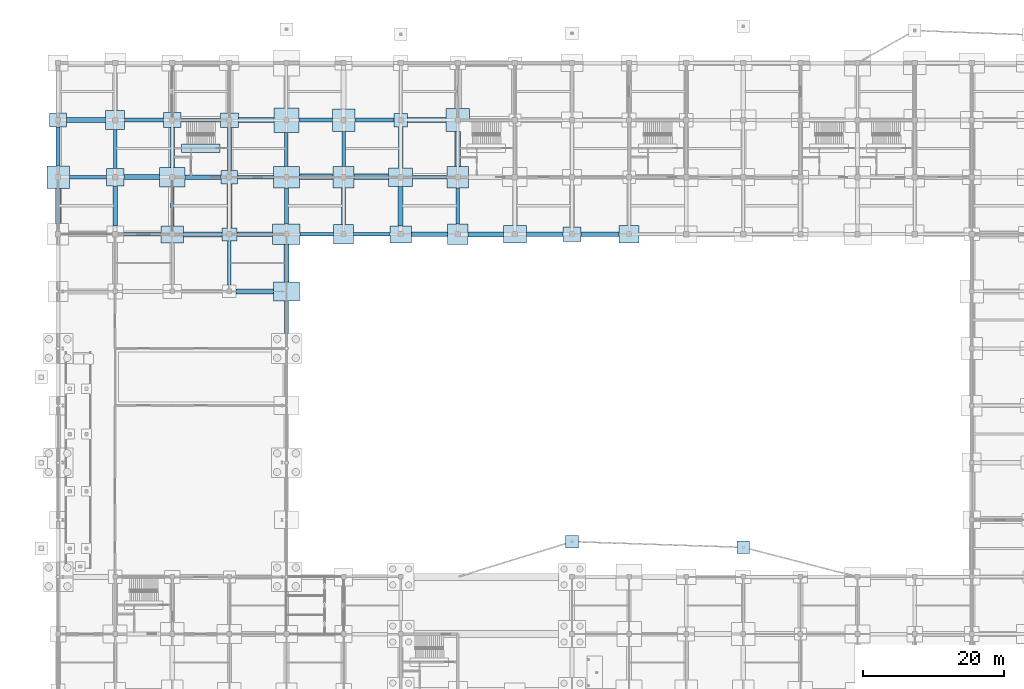
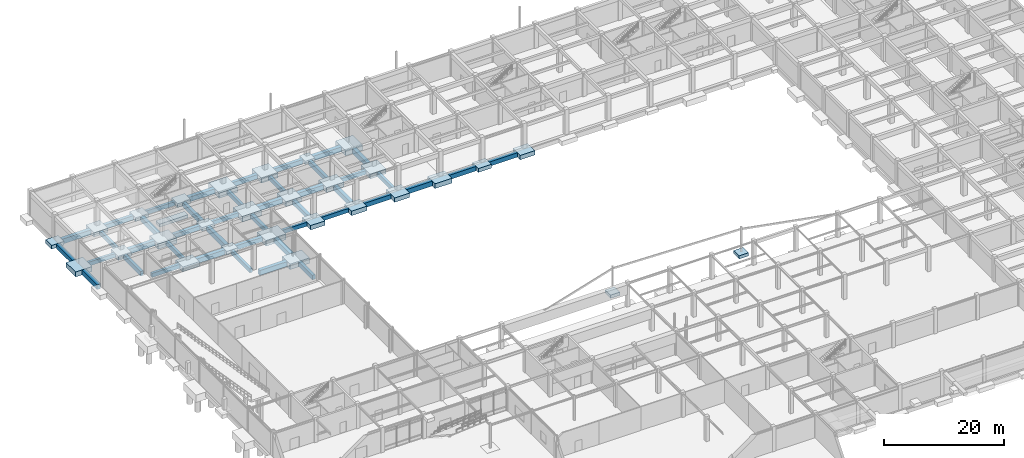
# One storey, part 5 of 67: 72 footings.
"""IFC4 building model written with IfcOpenShell, lengths in metres."""

from ifc_helpers import new_model, si_unit, direction, frame, origin, origin_2d, place, context, subcontext, project, spatial, rectangle, extrude, material, type_object, element, save


model = new_model("IFC4")

# Units and contexts
model_context = context("Model", 3, precision=1e-05, world=origin(), true_north=direction((0.0, 1.0)))
body_context = subcontext(model_context, "Body", "Model", "MODEL_VIEW")
ifc_project = project(units=[si_unit("LENGTHUNIT", "METRE"), si_unit("AREAUNIT", "SQUARE_METRE"), si_unit("VOLUMEUNIT", "CUBIC_METRE"), si_unit("PLANEANGLEUNIT", "RADIAN"), si_unit("MASSUNIT", "GRAM", prefix="KILO")], contexts=[model_context])

# Site, building, storey
site_placement = place(None, origin())
site = spatial("IfcSite", under=ifc_project, at=site_placement, CompositionType="ELEMENT")
building_placement = place(site_placement, origin())
building = spatial("IfcBuilding", under=site, at=building_placement, Name="Vaudrelin Polytechnic", CompositionType="ELEMENT")
storey_placement = place(building_placement, frame((0.0, 0.0, -5.10009765625)))
storey = spatial("IfcBuildingStorey", under=building, at=storey_placement, Name="B1", CompositionType="ELEMENT", Elevation=-5.10009765625)

# Footings
ifc_material = material(Name="Concrete 40 MPa", Category="concrete")
footing_type_1 = type_object("IfcFootingType", Name="FTG-GB-01", PredefinedType="FOOTING_BEAM", material=ifc_material)
footing_1_placement = place(storey_placement, frame((4.22509765625, 105.300048828125, -1.25), z_axis=(0.0, 0.0, 1.0), x_axis=(1.0, 0.0, 0.0)))
element("IfcFooting", 1, at=footing_1_placement, inside=storey, type_object=footing_type_1, Name="Ground tie beam GB-0015", PredefinedType="FOOTING_BEAM", context=body_context, shape_type="SweptSolid", body=[
    extrude(rectangle(XDim=5.25, YDim=0.5, at=origin_2d()), origin(), (0.0, 0.0, 1.0), 0.800048828125),
])
footing_2_placement = place(storey_placement, frame((11.925048828125, 97.199951171875, -1.25), z_axis=(0.0, 0.0, 1.0), x_axis=(1.0, 0.0, 0.0)))
element("IfcFooting", 2, at=footing_2_placement, inside=storey, type_object=footing_type_1, Name="Ground tie beam GB-0027", PredefinedType="FOOTING_BEAM", context=body_context, shape_type="SweptSolid", body=[
    extrude(rectangle(XDim=5.35009765625, YDim=0.5, at=origin_2d()), origin(), (0.0, 0.0, 1.0), 0.800048828125),
])
for number, where, z_axis, x_axis, name in (
    (3, (8.10009765625, 109.300048828125, -1.25), (0.0, 0.0, 1.0), (1.0, 0.0, 0.0), "Ground tie beam GB-0030"),
    (4, (16.199951171875, 101.14990234375, -1.25), (0.0, 0.0, 1.0), (1.0, 0.0, 0.0), "Ground tie beam GB-0042"),
):
    element("IfcFooting", number, at=place(storey_placement, frame(where, z_axis=z_axis, x_axis=x_axis)), inside=storey, type_object=footing_type_1, Name=name, PredefinedType="FOOTING_BEAM", context=body_context, shape_type="SweptSolid", body=[
        extrude(rectangle(XDim=0.5, YDim=5.5, at=origin_2d()), origin(), (0.0, 0.0, 1.0), 0.800048828125),
    ])
footing_3_placement = place(storey_placement, frame((20.237548828125, 113.39990234375, -1.25), z_axis=(0.0, 0.0, 1.0), x_axis=(1.0, 0.0, 0.0)))
element("IfcFooting", 5, at=footing_3_placement, inside=storey, type_object=footing_type_1, Name="Ground tie beam GB-0045", PredefinedType="FOOTING_BEAM", context=body_context, shape_type="SweptSolid", body=[
    extrude(rectangle(XDim=5.574951171875, YDim=0.5, at=origin_2d()), origin(), (0.0, 0.0, 1.0), 0.800048828125),
])
footing_4_placement = place(storey_placement, frame((24.300048828125, 93.125, -1.2998046875), z_axis=(0.0, 0.0, 1.0), x_axis=(1.0, 0.0, 0.0)))
element("IfcFooting", 6, at=footing_4_placement, inside=storey, type_object=footing_type_1, Name="Ground tie beam GB-0054", PredefinedType="FOOTING_BEAM", context=body_context, shape_type="SweptSolid", body=[
    extrude(rectangle(XDim=0.5, YDim=6.300048828125, at=origin_2d()), origin(), (0.0, 0.0, 1.0), 0.800048828125),
])
footing_5_placement = place(storey_placement, frame((28.012451171875, 105.300048828125, -1.25), z_axis=(0.0, 0.0, 1.0), x_axis=(1.0, 0.0, 0.0)))
element("IfcFooting", 7, at=footing_5_placement, inside=storey, type_object=footing_type_1, Name="Ground tie beam GB-0057", PredefinedType="FOOTING_BEAM", context=body_context, shape_type="SweptSolid", body=[
    extrude(rectangle(XDim=5.074951171875, YDim=0.5, at=origin_2d()), origin(), (0.0, 0.0, 1.0), 0.800048828125),
])
footing_6_placement = place(storey_placement, frame((36.72509765625, 97.199951171875, -1.25), z_axis=(0.0, 0.0, 1.0), x_axis=(1.0, 0.0, 0.0)))
element("IfcFooting", 8, at=footing_6_placement, inside=storey, type_object=footing_type_1, Name="Ground tie beam GB-0075", PredefinedType="FOOTING_BEAM", context=body_context, shape_type="SweptSolid", body=[
    extrude(rectangle(XDim=4.75, YDim=0.5, at=origin_2d()), origin(), (0.0, 0.0, 1.0), 0.800048828125),
])
footing_7_placement = place(storey_placement, frame((32.39990234375, 109.25, -1.25), z_axis=(0.0, 0.0, 1.0), x_axis=(1.0, 0.0, 0.0)))
element("IfcFooting", 9, at=footing_7_placement, inside=storey, type_object=footing_type_1, Name="Ground tie beam GB-0078", PredefinedType="FOOTING_BEAM", context=body_context, shape_type="SweptSolid", body=[
    extrude(rectangle(XDim=0.5, YDim=4.800048828125, at=origin_2d()), origin(), (0.0, 0.0, 1.0), 0.800048828125),
])
footing_8_placement = place(storey_placement, frame((44.5, 97.199951171875, -1.25), z_axis=(0.0, 0.0, 1.0), x_axis=(1.0, 0.0, 0.0)))
element("IfcFooting", 10, at=footing_8_placement, inside=storey, type_object=footing_type_1, Name="Ground tie beam GB-0093", PredefinedType="FOOTING_BEAM", context=body_context, shape_type="SweptSolid", body=[
    extrude(rectangle(XDim=5.199951171875, YDim=0.5, at=origin_2d()), origin(), (0.0, 0.0, 1.0), 0.800048828125),
])
footing_9_placement = place(storey_placement, frame((40.5, 109.300048828125, -1.25), z_axis=(0.0, 0.0, 1.0), x_axis=(1.0, 0.0, 0.0)))
element("IfcFooting", 11, at=footing_9_placement, inside=storey, type_object=footing_type_1, Name="Ground tie beam GB-0096", PredefinedType="FOOTING_BEAM", context=body_context, shape_type="SweptSolid", body=[
    extrude(rectangle(XDim=0.5, YDim=5.0, at=origin_2d()), origin(), (0.0, 0.0, 1.0), 0.800048828125),
])
footing_10_placement = place(storey_placement, frame((52.72509765625, 105.300048828125, -1.25), z_axis=(0.0, 0.0, 1.0), x_axis=(1.0, 0.0, 0.0)))
element("IfcFooting", 12, at=footing_10_placement, inside=storey, type_object=footing_type_1, Name="Ground tie beam GB-0108", PredefinedType="FOOTING_BEAM", context=body_context, shape_type="SweptSolid", body=[
    extrude(rectangle(XDim=4.85009765625, YDim=0.5, at=origin_2d()), origin(), (0.0, 0.0, 1.0), 0.800048828125),
])
footing_11_placement = place(storey_placement, frame((56.699951171875, 101.199951171875, -1.25), z_axis=(0.0, 0.0, 1.0), x_axis=(1.0, 0.0, 0.0)))
element("IfcFooting", 13, at=footing_11_placement, inside=storey, type_object=footing_type_1, Name="Ground tie beam GB-0120", PredefinedType="FOOTING_BEAM", context=body_context, shape_type="SweptSolid", body=[
    extrude(rectangle(XDim=0.5, YDim=5.10009765625, at=origin_2d()), origin(), (0.0, 0.0, 1.0), 0.800048828125),
])
footing_type_2 = type_object("IfcFootingType", Name="FTG-GB-02", PredefinedType="FOOTING_BEAM", material=ifc_material)
footing_12_placement = place(storey_placement, frame((0.0, 109.64990234375, -1.349853515625), z_axis=(0.0, 0.0, 1.0), x_axis=(1.0, 0.0, 0.0)))
element("IfcFooting", 14, at=footing_12_placement, inside=storey, type_object=footing_type_2, Name="Ground tie beam GB-0016", PredefinedType="FOOTING_BEAM", context=body_context, shape_type="SweptSolid", body=[
    extrude(rectangle(XDim=0.60009765625, YDim=5.5, at=origin_2d()), origin(), (0.0, 0.0, 1.0), 0.89990234375),
])
footing_13_placement = place(storey_placement, frame((8.10009765625, 101.199951171875, -1.349853515625), z_axis=(0.0, 0.0, 1.0), x_axis=(1.0, 0.0, 0.0)))
element("IfcFooting", 15, at=footing_13_placement, inside=storey, type_object=footing_type_2, Name="Ground tie beam GB-0028", PredefinedType="FOOTING_BEAM", context=body_context, shape_type="SweptSolid", body=[
    extrude(rectangle(XDim=0.60009765625, YDim=5.699951171875, at=origin_2d()), origin(), (0.0, 0.0, 1.0), 0.89990234375),
])
footing_14_placement = place(storey_placement, frame((12.199951171875, 113.39990234375, -1.349853515625), z_axis=(0.0, 0.0, 1.0), x_axis=(1.0, 0.0, 0.0)))
element("IfcFooting", 16, at=footing_14_placement, inside=storey, type_object=footing_type_2, Name="Ground tie beam GB-0031", PredefinedType="FOOTING_BEAM", context=body_context, shape_type="SweptSolid", body=[
    extrude(rectangle(XDim=5.5, YDim=0.60009765625, at=origin_2d()), origin(), (0.0, 0.0, 1.0), 0.89990234375),
])
footing_15_placement = place(storey_placement, frame((20.5625, 105.300048828125, -1.349853515625), z_axis=(0.0, 0.0, 1.0), x_axis=(1.0, 0.0, 0.0)))
element("IfcFooting", 17, at=footing_15_placement, inside=storey, type_object=footing_type_2, Name="Ground tie beam GB-0043", PredefinedType="FOOTING_BEAM", context=body_context, shape_type="SweptSolid", body=[
    extrude(rectangle(XDim=5.125, YDim=0.60009765625, at=origin_2d()), origin(), (0.0, 0.0, 1.0), 0.89990234375),
])
footing_16_placement = place(storey_placement, frame((27.91259765625, 97.199951171875, -1.349853515625), z_axis=(0.0, 0.0, 1.0), x_axis=(1.0, 0.0, 0.0)))
element("IfcFooting", 18, at=footing_16_placement, inside=storey, type_object=footing_type_2, Name="Ground tie beam GB-0055", PredefinedType="FOOTING_BEAM", context=body_context, shape_type="SweptSolid", body=[
    extrude(rectangle(XDim=5.074951171875, YDim=0.60009765625, at=origin_2d()), origin(), (0.0, 0.0, 1.0), 0.89990234375),
])
footing_17_placement = place(storey_placement, frame((24.300048828125, 109.324951171875, -1.349853515625), z_axis=(0.0, 0.0, 1.0), x_axis=(1.0, 0.0, 0.0)))
element("IfcFooting", 19, at=footing_17_placement, inside=storey, type_object=footing_type_2, Name="Ground tie beam GB-0058", PredefinedType="FOOTING_BEAM", context=body_context, shape_type="SweptSolid", body=[
    extrude(rectangle(XDim=0.60009765625, YDim=6.10009765625, at=origin_2d()), origin(), (0.0, 0.0, 1.0), 0.89990234375),
])
footing_18_placement = place(storey_placement, frame((32.39990234375, 85.4375, -1.349853515625), z_axis=(0.0, 0.0, 1.0), x_axis=(1.0, 0.0, 0.0)))
element("IfcFooting", 20, at=footing_18_placement, inside=storey, type_object=footing_type_2, Name="Ground tie beam GB-0073", PredefinedType="FOOTING_BEAM", context=body_context, shape_type="SweptSolid", body=[
    extrude(rectangle(XDim=0.60009765625, YDim=4.675048828125, at=origin_2d()), origin(), (0.0, 0.0, 1.0), 0.89990234375),
])
footing_19_placement = place(storey_placement, frame((32.39990234375, 101.199951171875, -1.349853515625), z_axis=(0.0, 0.0, 1.0), x_axis=(1.0, 0.0, 0.0)))
element("IfcFooting", 21, at=footing_19_placement, inside=storey, type_object=footing_type_2, Name="Ground tie beam GB-0076", PredefinedType="FOOTING_BEAM", context=body_context, shape_type="SweptSolid", body=[
    extrude(rectangle(XDim=0.60009765625, YDim=5.10009765625, at=origin_2d()), origin(), (0.0, 0.0, 1.0), 0.89990234375),
])
footing_20_placement = place(storey_placement, frame((36.52490234375, 113.39990234375, -1.349853515625), z_axis=(0.0, 0.0, 1.0), x_axis=(1.0, 0.0, 0.0)))
element("IfcFooting", 22, at=footing_20_placement, inside=storey, type_object=footing_type_2, Name="Ground tie beam GB-0079", PredefinedType="FOOTING_BEAM", context=body_context, shape_type="SweptSolid", body=[
    extrude(rectangle(XDim=4.75, YDim=0.60009765625, at=origin_2d()), origin(), (0.0, 0.0, 1.0), 0.89990234375),
])
footing_21_placement = place(storey_placement, frame((40.5, 101.199951171875, -1.349853515625), z_axis=(0.0, 0.0, 1.0), x_axis=(1.0, 0.0, 0.0)))
element("IfcFooting", 23, at=footing_21_placement, inside=storey, type_object=footing_type_2, Name="Ground tie beam GB-0094", PredefinedType="FOOTING_BEAM", context=body_context, shape_type="SweptSolid", body=[
    extrude(rectangle(XDim=0.60009765625, YDim=5.199951171875, at=origin_2d()), origin(), (0.0, 0.0, 1.0), 0.89990234375),
])
footing_22_placement = place(storey_placement, frame((44.875, 113.39990234375, -1.349853515625), z_axis=(0.0, 0.0, 1.0), x_axis=(1.0, 0.0, 0.0)))
element("IfcFooting", 24, at=footing_22_placement, inside=storey, type_object=footing_type_2, Name="Ground tie beam GB-0097", PredefinedType="FOOTING_BEAM", context=body_context, shape_type="SweptSolid", body=[
    extrude(rectangle(XDim=5.550048828125, YDim=0.60009765625, at=origin_2d()), origin(), (0.0, 0.0, 1.0), 0.89990234375),
])
footing_23_placement = place(storey_placement, frame((52.675048828125, 97.199951171875, -1.349853515625), z_axis=(0.0, 0.0, 1.0), x_axis=(1.0, 0.0, 0.0)))
element("IfcFooting", 25, at=footing_23_placement, inside=storey, type_object=footing_type_2, Name="Ground tie beam GB-0106", PredefinedType="FOOTING_BEAM", context=body_context, shape_type="SweptSolid", body=[
    extrude(rectangle(XDim=5.14990234375, YDim=0.60009765625, at=origin_2d()), origin(), (0.0, 0.0, 1.0), 0.89990234375),
])
footing_24_placement = place(storey_placement, frame((48.60009765625, 109.52490234375, -1.349853515625), z_axis=(0.0, 0.0, 1.0), x_axis=(1.0, 0.0, 0.0)))
element("IfcFooting", 26, at=footing_24_placement, inside=storey, type_object=footing_type_2, Name="Ground tie beam GB-0109", PredefinedType="FOOTING_BEAM", context=body_context, shape_type="SweptSolid", body=[
    extrude(rectangle(XDim=0.60009765625, YDim=5.85009765625, at=origin_2d()), origin(), (0.0, 0.0, 1.0), 0.89990234375),
])
footing_25_placement = place(storey_placement, frame((69.03759765625, 97.199951171875, -1.349853515625), z_axis=(0.0, 0.0, 1.0), x_axis=(1.0, 0.0, 0.0)))
element("IfcFooting", 27, at=footing_25_placement, inside=storey, type_object=footing_type_2, Name="Ground tie beam GB-0133", PredefinedType="FOOTING_BEAM", context=body_context, shape_type="SweptSolid", body=[
    extrude(rectangle(XDim=5.175048828125, YDim=0.60009765625, at=origin_2d()), origin(), (0.0, 0.0, 1.0), 0.89990234375),
])
footing_26_placement = place(storey_placement, frame((76.875, 97.199951171875, -1.349853515625), z_axis=(0.0, 0.0, 1.0), x_axis=(1.0, 0.0, 0.0)))
element("IfcFooting", 28, at=footing_26_placement, inside=storey, type_object=footing_type_2, Name="Ground tie beam GB-0148", PredefinedType="FOOTING_BEAM", context=body_context, shape_type="SweptSolid", body=[
    extrude(rectangle(XDim=5.39990234375, YDim=0.60009765625, at=origin_2d()), origin(), (0.0, 0.0, 1.0), 0.89990234375),
])
footing_type_3 = type_object("IfcFootingType", Name="FTG-GB-03", PredefinedType="FOOTING_BEAM", material=ifc_material)
footing_27_placement = place(storey_placement, frame((0.0, 101.199951171875, -1.449951171875), z_axis=(0.0, 0.0, 1.0), x_axis=(1.0, 0.0, 0.0)))
element("IfcFooting", 29, at=footing_27_placement, inside=storey, type_object=footing_type_3, Name="Ground tie beam GB-0014", PredefinedType="FOOTING_BEAM", context=body_context, shape_type="SweptSolid", body=[
    extrude(rectangle(XDim=0.699951171875, YDim=5.0, at=origin_2d()), origin(), (0.0, 0.0, 1.0), 1.0),
])
footing_28_placement = place(storey_placement, frame((3.97509765625, 113.39990234375, -1.449951171875), z_axis=(0.0, 0.0, 1.0), x_axis=(1.0, 0.0, 0.0)))
element("IfcFooting", 30, at=footing_28_placement, inside=storey, type_object=footing_type_3, Name="Ground tie beam GB-0017", PredefinedType="FOOTING_BEAM", context=body_context, shape_type="SweptSolid", body=[
    extrude(rectangle(XDim=5.550048828125, YDim=0.699951171875, at=origin_2d()), origin(), (0.0, 0.0, 1.0), 1.0),
])
footing_29_placement = place(storey_placement, frame((11.875, 105.300048828125, -1.449951171875), z_axis=(0.0, 0.0, 1.0), x_axis=(1.0, 0.0, 0.0)))
element("IfcFooting", 31, at=footing_29_placement, inside=storey, type_object=footing_type_3, Name="Ground tie beam GB-0029", PredefinedType="FOOTING_BEAM", context=body_context, shape_type="SweptSolid", body=[
    extrude(rectangle(XDim=5.050048828125, YDim=0.699951171875, at=origin_2d()), origin(), (0.0, 0.0, 1.0), 1.0),
])
footing_30_placement = place(storey_placement, frame((20.512451171875, 97.199951171875, -1.449951171875), z_axis=(0.0, 0.0, 1.0), x_axis=(1.0, 0.0, 0.0)))
element("IfcFooting", 32, at=footing_30_placement, inside=storey, type_object=footing_type_3, Name="Ground tie beam GB-0041", PredefinedType="FOOTING_BEAM", context=body_context, shape_type="SweptSolid", body=[
    extrude(rectangle(XDim=5.425048828125, YDim=0.699951171875, at=origin_2d()), origin(), (0.0, 0.0, 1.0), 1.0),
])
footing_31_placement = place(storey_placement, frame((16.199951171875, 109.52490234375, -1.449951171875), z_axis=(0.0, 0.0, 1.0), x_axis=(1.0, 0.0, 0.0)))
element("IfcFooting", 33, at=footing_31_placement, inside=storey, type_object=footing_type_3, Name="Ground tie beam GB-0044", PredefinedType="FOOTING_BEAM", context=body_context, shape_type="SweptSolid", body=[
    extrude(rectangle(XDim=0.699951171875, YDim=5.64990234375, at=origin_2d()), origin(), (0.0, 0.0, 1.0), 1.0),
])
footing_32_placement = place(storey_placement, frame((27.89990234375, 89.10009765625, -1.5), z_axis=(0.0, 0.0, 1.0), x_axis=(1.0, 0.0, 0.0)))
element("IfcFooting", 34, at=footing_32_placement, inside=storey, type_object=footing_type_3, Name="Ground tie beam GB-0053", PredefinedType="FOOTING_BEAM", context=body_context, shape_type="SweptSolid", body=[
    extrude(rectangle(XDim=5.25, YDim=0.699951171875, at=origin_2d()), origin(), (0.0, 0.0, 1.0), 1.0),
])
footing_33_placement = place(storey_placement, frame((24.300048828125, 101.22509765625, -1.449951171875), z_axis=(0.0, 0.0, 1.0), x_axis=(1.0, 0.0, 0.0)))
element("IfcFooting", 35, at=footing_33_placement, inside=storey, type_object=footing_type_3, Name="Ground tie beam GB-0056", PredefinedType="FOOTING_BEAM", context=body_context, shape_type="SweptSolid", body=[
    extrude(rectangle(XDim=0.699951171875, YDim=6.199951171875, at=origin_2d()), origin(), (0.0, 0.0, 1.0), 1.0),
])
footing_34_placement = place(storey_placement, frame((28.112548828125, 113.39990234375, -1.449951171875), z_axis=(0.0, 0.0, 1.0), x_axis=(1.0, 0.0, 0.0)))
element("IfcFooting", 36, at=footing_34_placement, inside=storey, type_object=footing_type_3, Name="Ground tie beam GB-0059", PredefinedType="FOOTING_BEAM", context=body_context, shape_type="SweptSolid", body=[
    extrude(rectangle(XDim=5.074951171875, YDim=0.699951171875, at=origin_2d()), origin(), (0.0, 0.0, 1.0), 1.0),
])
footing_35_placement = place(storey_placement, frame((32.39990234375, 93.08740234375, -1.449951171875), z_axis=(0.0, 0.0, 1.0), x_axis=(1.0, 0.0, 0.0)))
element("IfcFooting", 37, at=footing_35_placement, inside=storey, type_object=footing_type_3, Name="Ground tie beam GB-0074", PredefinedType="FOOTING_BEAM", context=body_context, shape_type="SweptSolid", body=[
    extrude(rectangle(XDim=0.699951171875, YDim=5.324951171875, at=origin_2d()), origin(), (0.0, 0.0, 1.0), 1.0),
])
footing_36_placement = place(storey_placement, frame((36.625, 105.300048828125, -1.449951171875), z_axis=(0.0, 0.0, 1.0), x_axis=(1.0, 0.0, 0.0)))
element("IfcFooting", 38, at=footing_36_placement, inside=storey, type_object=footing_type_3, Name="Ground tie beam GB-0077", PredefinedType="FOOTING_BEAM", context=body_context, shape_type="SweptSolid", body=[
    extrude(rectangle(XDim=4.75, YDim=0.699951171875, at=origin_2d()), origin(), (0.0, 0.0, 1.0), 1.0),
])
footing_37_placement = place(storey_placement, frame((44.449951171875, 105.300048828125, -1.449951171875), z_axis=(0.0, 0.0, 1.0), x_axis=(1.0, 0.0, 0.0)))
element("IfcFooting", 39, at=footing_37_placement, inside=storey, type_object=footing_type_3, Name="Ground tie beam GB-0095", PredefinedType="FOOTING_BEAM", context=body_context, shape_type="SweptSolid", body=[
    extrude(rectangle(XDim=4.89990234375, YDim=0.699951171875, at=origin_2d()), origin(), (0.0, 0.0, 1.0), 1.0),
])
footing_38_placement = place(storey_placement, frame((48.60009765625, 101.199951171875, -1.449951171875), z_axis=(0.0, 0.0, 1.0), x_axis=(1.0, 0.0, 0.0)))
element("IfcFooting", 40, at=footing_38_placement, inside=storey, type_object=footing_type_3, Name="Ground tie beam GB-0107", PredefinedType="FOOTING_BEAM", context=body_context, shape_type="SweptSolid", body=[
    extrude(rectangle(XDim=0.699951171875, YDim=5.60009765625, at=origin_2d()), origin(), (0.0, 0.0, 1.0), 1.0),
])
footing_39_placement = place(storey_placement, frame((52.300048828125, 113.39990234375, -1.449951171875), z_axis=(0.0, 0.0, 1.0), x_axis=(1.0, 0.0, 0.0)))
element("IfcFooting", 41, at=footing_39_placement, inside=storey, type_object=footing_type_3, Name="Ground tie beam GB-0110", PredefinedType="FOOTING_BEAM", context=body_context, shape_type="SweptSolid", body=[
    extrude(rectangle(XDim=5.5, YDim=0.699951171875, at=origin_2d()), origin(), (0.0, 0.0, 1.0), 1.0),
])
footing_40_placement = place(storey_placement, frame((60.64990234375, 97.199951171875, -1.449951171875), z_axis=(0.0, 0.0, 1.0), x_axis=(1.0, 0.0, 0.0)))
element("IfcFooting", 42, at=footing_40_placement, inside=storey, type_object=footing_type_3, Name="Ground tie beam GB-0119", PredefinedType="FOOTING_BEAM", context=body_context, shape_type="SweptSolid", body=[
    extrude(rectangle(XDim=5.0, YDim=0.699951171875, at=origin_2d()), origin(), (0.0, 0.0, 1.0), 1.0),
])
footing_41_placement = place(storey_placement, frame((56.699951171875, 109.300048828125, -1.449951171875), z_axis=(0.0, 0.0, 1.0), x_axis=(1.0, 0.0, 0.0)))
element("IfcFooting", 43, at=footing_41_placement, inside=storey, type_object=footing_type_3, Name="Ground tie beam GB-0122", PredefinedType="FOOTING_BEAM", context=body_context, shape_type="SweptSolid", body=[
    extrude(rectangle(XDim=0.699951171875, YDim=4.89990234375, at=origin_2d()), origin(), (0.0, 0.0, 1.0), 1.0),
])
footing_type_4 = type_object("IfcFootingType", Name="FTG-PF-01", PredefinedType="PAD_FOOTING", material=ifc_material)
for number, where, z_axis, x_axis, name in (
    (44, (72.89990234375, 53.60009765625, -0.64990234375), (0.0, 0.0, 1.0), (1.0, 0.0, 0.0), "Sculptural prow footing CT_OR1_1"),
    (45, (97.199951171875, 52.800048828125, -0.64990234375), (0.0, 0.0, 1.0), (1.0, 0.0, 0.0), "Sculptural prow footing CT_OR1_2"),
):
    element("IfcFooting", number, at=place(storey_placement, frame(where, z_axis=z_axis, x_axis=x_axis)), inside=storey, type_object=footing_type_4, Name=name, PredefinedType="PAD_FOOTING", context=body_context, shape_type="SweptSolid", body=[
        extrude(rectangle(XDim=1.800048828125, YDim=1.800048828125, at=origin_2d()), origin(), (0.0, 0.0, 1.0), 0.64990234375),
    ])
footing_type_5 = type_object("IfcFootingType", Name="FTG-PF-06", PredefinedType="PAD_FOOTING", material=ifc_material)
footing_42_placement = place(storey_placement, frame((40.5, 97.199951171875, -1.349853515625), z_axis=(0.0, 0.0, 1.0), x_axis=(1.0, 0.0, 0.0)))
element("IfcFooting", 46, at=footing_42_placement, inside=storey, type_object=footing_type_5, Name="Spread footing 5-12", PredefinedType="PAD_FOOTING", context=body_context, shape_type="SweptSolid", body=[
    extrude(rectangle(XDim=2.800048828125, YDim=2.800048828125, at=origin_2d()), origin(), (0.0, 0.0, 1.0), 0.89990234375),
])
footing_type_6 = type_object("IfcFootingType", Name="FTG-PF-07", PredefinedType="PAD_FOOTING", material=ifc_material)
footing_43_placement = place(storey_placement, frame((40.5, 105.300048828125, -1.39990234375), z_axis=(0.0, 0.0, 1.0), x_axis=(1.0, 0.0, 0.0)))
element("IfcFooting", 47, at=footing_43_placement, inside=storey, type_object=footing_type_6, Name="Spread footing 5-13", PredefinedType="PAD_FOOTING", context=body_context, shape_type="SweptSolid", body=[
    extrude(rectangle(XDim=3.0, YDim=3.0, at=origin_2d()), origin(), (0.0, 0.0, 1.0), 0.949951171875),
])
footing_type_7 = type_object("IfcFootingType", Name="FTG-PF-08", PredefinedType="PAD_FOOTING", material=ifc_material)
for number, where, z_axis, x_axis, name in (
    (48, (0.0, 105.300048828125, -1.449951171875), (0.0, 0.0, 1.0), (1.0, 0.0, 0.0), "Spread footing 0-13"),
    (49, (40.5, 113.39990234375, -1.449951171875), (0.0, 0.0, 1.0), (1.0, 0.0, 0.0), "Spread footing 5-14"),
):
    element("IfcFooting", number, at=place(storey_placement, frame(where, z_axis=z_axis, x_axis=x_axis)), inside=storey, type_object=footing_type_7, Name=name, PredefinedType="PAD_FOOTING", context=body_context, shape_type="SweptSolid", body=[
        extrude(rectangle(XDim=3.199951171875, YDim=3.199951171875, at=origin_2d()), origin(), (0.0, 0.0, 1.0), 1.0),
    ])
footing_type_8 = type_object("IfcFootingType", Name="FTG-PF-09", PredefinedType="PAD_FOOTING", material=ifc_material)
footing_44_placement = place(storey_placement, frame((0.0, 113.39990234375, -1.199951171875), z_axis=(0.0, 0.0, 1.0), x_axis=(1.0, 0.0, 0.0)))
element("IfcFooting", 50, at=footing_44_placement, inside=storey, type_object=footing_type_8, Name="Spread footing 0-14", PredefinedType="PAD_FOOTING", context=body_context, shape_type="SweptSolid", body=[
    extrude(rectangle(XDim=2.39990234375, YDim=2.0, at=origin_2d()), origin(), (0.0, 0.0, 1.0), 0.75),
])
footing_type_9 = type_object("IfcFootingType", Name="FTG-PF-11", PredefinedType="PAD_FOOTING", material=ifc_material)
footing_45_placement = place(storey_placement, frame((48.60009765625, 97.199951171875, -1.349853515625), z_axis=(0.0, 0.0, 1.0), x_axis=(1.0, 0.0, 0.0)))
element("IfcFooting", 51, at=footing_45_placement, inside=storey, type_object=footing_type_9, Name="Spread footing 6-12", PredefinedType="PAD_FOOTING", context=body_context, shape_type="SweptSolid", body=[
    extrude(rectangle(XDim=3.0, YDim=2.39990234375, at=origin_2d()), origin(), (0.0, 0.0, 1.0), 0.89990234375),
])
footing_type_10 = type_object("IfcFootingType", Name="FTG-PF-12", PredefinedType="PAD_FOOTING", material=ifc_material)
footing_46_placement = place(storey_placement, frame((48.60009765625, 105.300048828125, -1.449951171875), z_axis=(0.0, 0.0, 1.0), x_axis=(1.0, 0.0, 0.0)))
element("IfcFooting", 52, at=footing_46_placement, inside=storey, type_object=footing_type_10, Name="Spread footing 6-13", PredefinedType="PAD_FOOTING", context=body_context, shape_type="SweptSolid", body=[
    extrude(rectangle(XDim=3.39990234375, YDim=2.60009765625, at=origin_2d()), origin(), (0.0, 0.0, 1.0), 1.0),
])
footing_type_11 = type_object("IfcFootingType", Name="FTG-PF-13", PredefinedType="PAD_FOOTING", material=ifc_material)
footing_47_placement = place(storey_placement, frame((48.60009765625, 113.39990234375, -1.099853515625), z_axis=(0.0, 0.0, 1.0), x_axis=(1.0, 0.0, 0.0)))
element("IfcFooting", 53, at=footing_47_placement, inside=storey, type_object=footing_type_11, Name="Spread footing 6-14", PredefinedType="PAD_FOOTING", context=body_context, shape_type="SweptSolid", body=[
    extrude(rectangle(XDim=1.89990234375, YDim=1.89990234375, at=origin_2d()), origin(), (0.0, 0.0, 1.0), 0.64990234375),
])
footing_type_12 = type_object("IfcFootingType", Name="FTG-PF-16", PredefinedType="PAD_FOOTING", material=ifc_material)
footing_48_placement = place(storey_placement, frame((8.10009765625, 105.300048828125, -1.25), z_axis=(0.0, 0.0, 1.0), x_axis=(1.0, 0.0, 0.0)))
element("IfcFooting", 54, at=footing_48_placement, inside=storey, type_object=footing_type_12, Name="Spread footing 1-13", PredefinedType="PAD_FOOTING", context=body_context, shape_type="SweptSolid", body=[
    extrude(rectangle(XDim=2.5, YDim=2.5, at=origin_2d()), origin(), (0.0, 0.0, 1.0), 0.800048828125),
])
footing_type_13 = type_object("IfcFootingType", Name="FTG-PF-17", PredefinedType="PAD_FOOTING", material=ifc_material)
footing_49_placement = place(storey_placement, frame((8.10009765625, 113.39990234375, -1.300048828125), z_axis=(0.0, 0.0, 1.0), x_axis=(1.0, 0.0, 0.0)))
element("IfcFooting", 55, at=footing_49_placement, inside=storey, type_object=footing_type_13, Name="Spread footing 1-14", PredefinedType="PAD_FOOTING", context=body_context, shape_type="SweptSolid", body=[
    extrude(rectangle(XDim=2.699951171875, YDim=2.699951171875, at=origin_2d()), origin(), (0.0, 0.0, 1.0), 0.85009765625),
])
footing_type_14 = type_object("IfcFootingType", Name="FTG-PF-18", PredefinedType="PAD_FOOTING", material=ifc_material)
footing_50_placement = place(storey_placement, frame((56.699951171875, 97.199951171875, -1.349853515625), z_axis=(0.0, 0.0, 1.0), x_axis=(1.0, 0.0, 0.0)))
element("IfcFooting", 56, at=footing_50_placement, inside=storey, type_object=footing_type_14, Name="Spread footing 7-12", PredefinedType="PAD_FOOTING", context=body_context, shape_type="SweptSolid", body=[
    extrude(rectangle(XDim=2.89990234375, YDim=2.89990234375, at=origin_2d()), origin(), (0.0, 0.0, 1.0), 0.89990234375),
])
footing_type_15 = type_object("IfcFootingType", Name="FTG-PF-19", PredefinedType="PAD_FOOTING", material=ifc_material)
footing_51_placement = place(storey_placement, frame((56.699951171875, 105.300048828125, -1.39990234375), z_axis=(0.0, 0.0, 1.0), x_axis=(1.0, 0.0, 0.0)))
element("IfcFooting", 57, at=footing_51_placement, inside=storey, type_object=footing_type_15, Name="Spread footing 7-13", PredefinedType="PAD_FOOTING", context=body_context, shape_type="SweptSolid", body=[
    extrude(rectangle(XDim=3.10009765625, YDim=3.10009765625, at=origin_2d()), origin(), (0.0, 0.0, 1.0), 0.949951171875),
])
footing_type_16 = type_object("IfcFootingType", Name="FTG-PF-20", PredefinedType="PAD_FOOTING", material=ifc_material)
footing_52_placement = place(storey_placement, frame((56.699951171875, 113.39990234375, -1.5), z_axis=(0.0, 0.0, 1.0), x_axis=(1.0, 0.0, 0.0)))
element("IfcFooting", 58, at=footing_52_placement, inside=storey, type_object=footing_type_16, Name="Spread footing 7-14", PredefinedType="PAD_FOOTING", context=body_context, shape_type="SweptSolid", body=[
    extrude(rectangle(XDim=3.300048828125, YDim=3.300048828125, at=origin_2d()), origin(), (0.0, 0.0, 1.0), 1.050048828125),
])
footing_type_17 = type_object("IfcFootingType", Name="FTG-PF-23", PredefinedType="PAD_FOOTING", material=ifc_material)
footing_53_placement = place(storey_placement, frame((16.199951171875, 97.199951171875, -1.39990234375), z_axis=(0.0, 0.0, 1.0), x_axis=(1.0, 0.0, 0.0)))
element("IfcFooting", 59, at=footing_53_placement, inside=storey, type_object=footing_type_17, Name="Spread footing 2-12", PredefinedType="PAD_FOOTING", context=body_context, shape_type="SweptSolid", body=[
    extrude(rectangle(XDim=3.199951171875, YDim=2.39990234375, at=origin_2d()), origin(), (0.0, 0.0, 1.0), 0.949951171875),
])
footing_type_18 = type_object("IfcFootingType", Name="FTG-PF-24", PredefinedType="PAD_FOOTING", material=ifc_material)
footing_54_placement = place(storey_placement, frame((16.199951171875, 105.300048828125, -1.550048828125), z_axis=(0.0, 0.0, 1.0), x_axis=(1.0, 0.0, 0.0)))
element("IfcFooting", 60, at=footing_54_placement, inside=storey, type_object=footing_type_18, Name="Spread footing 2-13", PredefinedType="PAD_FOOTING", context=body_context, shape_type="SweptSolid", body=[
    extrude(rectangle(XDim=3.60009765625, YDim=2.800048828125, at=origin_2d()), origin(), (0.0, 0.0, 1.0), 1.10009765625),
])
footing_type_19 = type_object("IfcFootingType", Name="FTG-PF-25", PredefinedType="PAD_FOOTING", material=ifc_material)
footing_55_placement = place(storey_placement, frame((16.199951171875, 113.39990234375, -1.22998046875), z_axis=(0.0, 0.0, 1.0), x_axis=(1.0, 0.0, 0.0)))
element("IfcFooting", 61, at=footing_55_placement, inside=storey, type_object=footing_type_19, Name="Spread footing 2-14", PredefinedType="PAD_FOOTING", context=body_context, shape_type="SweptSolid", body=[
    extrude(rectangle(XDim=2.5, YDim=2.10009765625, at=origin_2d()), origin(), (0.0, 0.0, 1.0), 0.780029296875),
])
footing_type_20 = type_object("IfcFootingType", Name="FTG-PF-27", PredefinedType="PAD_FOOTING", material=ifc_material)
footing_56_placement = place(storey_placement, frame((64.800048828125, 97.199951171875, -1.429931640625), z_axis=(0.0, 0.0, 1.0), x_axis=(1.0, 0.0, 0.0)))
element("IfcFooting", 62, at=footing_56_placement, inside=storey, type_object=footing_type_20, Name="Spread footing 8-12", PredefinedType="PAD_FOOTING", context=body_context, shape_type="SweptSolid", body=[
    extrude(rectangle(XDim=3.300048828125, YDim=2.5, at=origin_2d()), origin(), (0.0, 0.0, 1.0), 0.97998046875),
])
footing_type_21 = type_object("IfcFootingType", Name="FTG-PF-31", PredefinedType="PAD_FOOTING", material=ifc_material)
footing_57_placement = place(storey_placement, frame((24.300048828125, 97.199951171875, -1.14990234375), z_axis=(0.0, 0.0, 1.0), x_axis=(1.0, 0.0, 0.0)))
element("IfcFooting", 63, at=footing_57_placement, inside=storey, type_object=footing_type_21, Name="Spread footing 3-12", PredefinedType="PAD_FOOTING", context=body_context, shape_type="SweptSolid", body=[
    extrude(rectangle(XDim=2.14990234375, YDim=1.85009765625, at=origin_2d()), origin(), (0.0, 0.0, 1.0), 0.699951171875),
])
footing_type_22 = type_object("IfcFootingType", Name="FTG-PF-32", PredefinedType="PAD_FOOTING", material=ifc_material)
footing_58_placement = place(storey_placement, frame((24.300048828125, 105.300048828125, -1.199951171875), z_axis=(0.0, 0.0, 1.0), x_axis=(1.0, 0.0, 0.0)))
element("IfcFooting", 64, at=footing_58_placement, inside=storey, type_object=footing_type_22, Name="Spread footing 3-13", PredefinedType="PAD_FOOTING", context=body_context, shape_type="SweptSolid", body=[
    extrude(rectangle(XDim=2.35009765625, YDim=1.949951171875, at=origin_2d()), origin(), (0.0, 0.0, 1.0), 0.75),
])
footing_type_23 = type_object("IfcFootingType", Name="FTG-PF-33", PredefinedType="PAD_FOOTING", material=ifc_material)
for number, where, z_axis, x_axis, name in (
    (65, (24.300048828125, 113.39990234375, -1.25), (0.0, 0.0, 1.0), (1.0, 0.0, 0.0), "Spread footing 3-14"),
    (66, (72.89990234375, 97.199951171875, -1.25), (0.0, 0.0, 1.0), (1.0, 0.0, 0.0), "Spread footing 9-12"),
):
    element("IfcFooting", number, at=place(storey_placement, frame(where, z_axis=z_axis, x_axis=x_axis)), inside=storey, type_object=footing_type_23, Name=name, PredefinedType="PAD_FOOTING", context=body_context, shape_type="SweptSolid", body=[
        extrude(rectangle(XDim=2.550048828125, YDim=2.050048828125, at=origin_2d()), origin(), (0.0, 0.0, 1.0), 0.800048828125),
    ])
footing_type_24 = type_object("IfcFootingType", Name="FTG-PF-39", PredefinedType="PAD_FOOTING", material=ifc_material)
footing_59_placement = place(storey_placement, frame((32.39990234375, 89.10009765625, -1.550048828125), z_axis=(0.0, 0.0, 1.0), x_axis=(1.0, 0.0, 0.0)))
element("IfcFooting", 67, at=footing_59_placement, inside=storey, type_object=footing_type_24, Name="Spread footing 4-11", PredefinedType="PAD_FOOTING", context=body_context, shape_type="SweptSolid", body=[
    extrude(rectangle(XDim=3.75, YDim=2.64990234375, at=origin_2d()), origin(), (0.0, 0.0, 1.0), 1.10009765625),
])
footing_type_25 = type_object("IfcFootingType", Name="FTG-PF-40", PredefinedType="PAD_FOOTING", material=ifc_material)
footing_60_placement = place(storey_placement, frame((32.39990234375, 97.199951171875, -1.599853515625), z_axis=(0.0, 0.0, 1.0), x_axis=(1.0, 0.0, 0.0)))
element("IfcFooting", 68, at=footing_60_placement, inside=storey, type_object=footing_type_25, Name="Spread footing 4-12", PredefinedType="PAD_FOOTING", context=body_context, shape_type="SweptSolid", body=[
    extrude(rectangle(XDim=3.89990234375, YDim=2.89990234375, at=origin_2d()), origin(), (0.0, 0.0, 1.0), 1.14990234375),
])
footing_type_26 = type_object("IfcFootingType", Name="FTG-PF-41", PredefinedType="PAD_FOOTING", material=ifc_material)
footing_61_placement = place(storey_placement, frame((32.39990234375, 105.300048828125, -1.550048828125), z_axis=(0.0, 0.0, 1.0), x_axis=(1.0, 0.0, 0.0)))
element("IfcFooting", 69, at=footing_61_placement, inside=storey, type_object=footing_type_26, Name="Spread footing 4-13", PredefinedType="PAD_FOOTING", context=body_context, shape_type="SweptSolid", body=[
    extrude(rectangle(XDim=3.699951171875, YDim=3.10009765625, at=origin_2d()), origin(), (0.0, 0.0, 1.0), 1.10009765625),
])
footing_type_27 = type_object("IfcFootingType", Name="FTG-PF-42", PredefinedType="PAD_FOOTING", material=ifc_material)
footing_62_placement = place(storey_placement, frame((32.39990234375, 113.39990234375, -1.550048828125), z_axis=(0.0, 0.0, 1.0), x_axis=(1.0, 0.0, 0.0)))
element("IfcFooting", 70, at=footing_62_placement, inside=storey, type_object=footing_type_27, Name="Spread footing 4-14", PredefinedType="PAD_FOOTING", context=body_context, shape_type="SweptSolid", body=[
    extrude(rectangle(XDim=3.5, YDim=3.5, at=origin_2d()), origin(), (0.0, 0.0, 1.0), 1.10009765625),
])
footing_type_28 = type_object("IfcFootingType", Name="FTG-PF-44", PredefinedType="PAD_FOOTING", material=ifc_material)
footing_63_placement = place(storey_placement, frame((81.0, 97.199951171875, -1.329833984375), z_axis=(0.0, 0.0, 1.0), x_axis=(1.0, 0.0, 0.0)))
element("IfcFooting", 71, at=footing_63_placement, inside=storey, type_object=footing_type_28, Name="Spread footing 10-12", PredefinedType="PAD_FOOTING", context=body_context, shape_type="SweptSolid", body=[
    extrude(rectangle(XDim=2.85009765625, YDim=2.449951171875, at=origin_2d()), origin(), (0.0, 0.0, 1.0), 0.8798828125),
])
footing_type_29 = type_object("IfcFootingType", Name="FTG-SF-01", PredefinedType="STRIP_FOOTING", material=ifc_material)
footing_64_placement = place(storey_placement, frame((20.25, 109.409912109375, -1.099853515625), z_axis=(0.0, 0.0, 1.0), x_axis=(1.0, 0.0, 0.0)))
element("IfcFooting", 72, at=footing_64_placement, inside=storey, type_object=footing_type_29, Name="Core C1 stair wall strip footing", PredefinedType="STRIP_FOOTING", context=body_context, shape_type="SweptSolid", body=[
    extrude(rectangle(XDim=5.5, YDim=1.199951171875, at=origin_2d()), origin(), (0.0, 0.0, 1.0), 0.60009765625),
])

save(model, "model.ifc")
